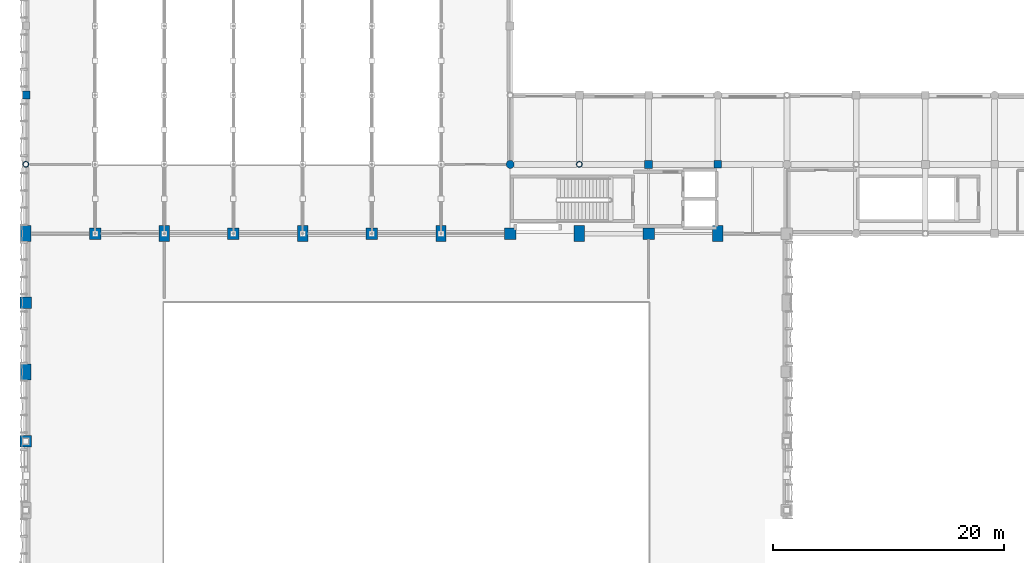
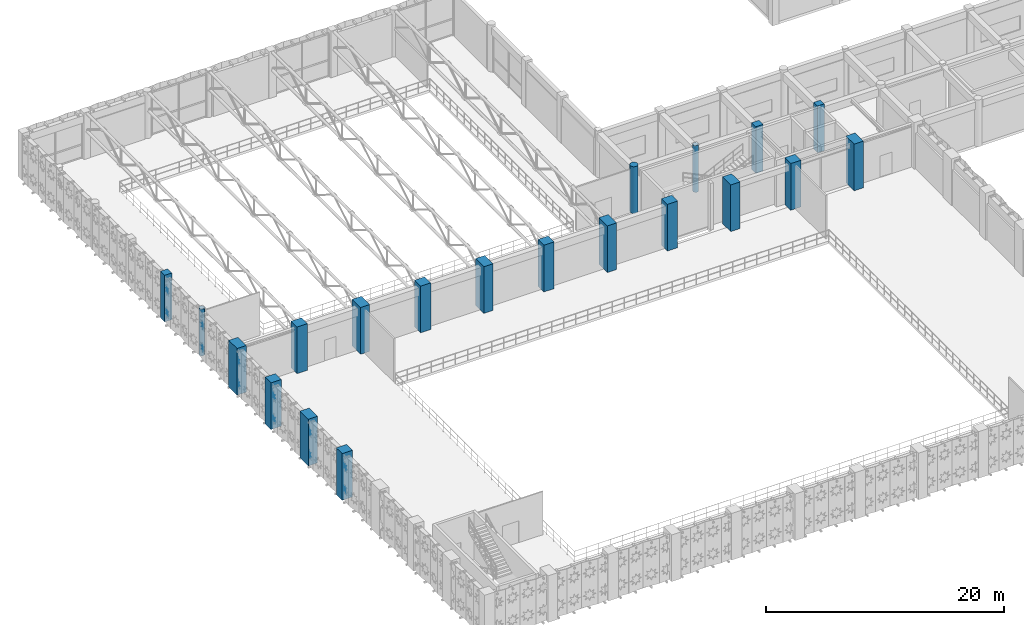
# One storey, part 6 of 123: 20 columns.
"""IFC4 building model written with IfcOpenShell, lengths in metres."""

from ifc_helpers import new_model, si_unit, direction, frame, origin, origin_2d, place, context, subcontext, project, spatial, rectangle, circle, hollow_circle, extrude, material, material_profile, profile_set, type_object, element, save


model = new_model("IFC4")

# Units and contexts
model_context = context("Model", 3, precision=1e-05, world=origin(), true_north=direction((0.0, 1.0)))
body_context = subcontext(model_context, "Body", "Model", "MODEL_VIEW")
ifc_project = project(units=[si_unit("LENGTHUNIT", "METRE"), si_unit("AREAUNIT", "SQUARE_METRE"), si_unit("VOLUMEUNIT", "CUBIC_METRE"), si_unit("PLANEANGLEUNIT", "RADIAN"), si_unit("MASSUNIT", "GRAM", prefix="KILO"), si_unit("THERMODYNAMICTEMPERATUREUNIT", "KELVIN"), si_unit("POWERUNIT", "WATT")], contexts=[model_context])

# Site, building, storey
site_placement = place(None, origin())
site = spatial("IfcSite", under=ifc_project, at=site_placement, CompositionType="ELEMENT")
building_placement = place(site_placement, origin())
building = spatial("IfcBuilding", under=site, at=building_placement, Name="Phaisarnlok Congress Hotel", CompositionType="ELEMENT")
storey_placement = place(building_placement, frame((0.0, 0.0, 15.0)))
storey = spatial("IfcBuildingStorey", under=building, at=storey_placement, Name="L03", CompositionType="ELEMENT", Elevation=15.0)

# Columns
ifc_material_1 = material(Name="Concrete C50/60", Category="concrete")
ifc_material_profile_1 = material_profile(ifc_material_1, rectangle(XDim=1.0, YDim=1.0, at=origin_2d()), Name="RC 1000x1000")
ifc_profile_set_1 = profile_set([ifc_material_profile_1], Name="Concrete C50/60")
column_type_1 = type_object("IfcColumnType", Name="COL-RC-1000", PredefinedType="COLUMN", material=ifc_profile_set_1)
for number, where, z_axis, x_axis, name in (
    (1, (6.0, 84.0, 0.0), (0.0, 0.0, 1.0), (1.0, 0.0, 0.0), "Column C-09 (L03)"),
    (2, (18.0, 84.0, 0.0), (0.0, 0.0, 1.0), (1.0, 0.0, 0.0), "Column C-09 (L03)"),
    (3, (30.0, 84.0, 0.0), (0.0, 0.0, 1.0), (1.0, 0.0, 0.0), "Column C-09 (L03)"),
    (4, (42.0, 84.0, 0.0), (0.0, 0.0, 1.0), (1.0, 0.0, 0.0), "Column C-09 (L03)"),
    (5, (54.0, 84.0, 0.0), (0.0, 0.0, 1.0), (1.0, 0.0, 0.0), "Column C-09 (L03)"),
):
    element("IfcColumn", number, at=place(storey_placement, frame(where, z_axis=z_axis, x_axis=x_axis)), inside=storey, type_object=column_type_1, Name=name, PredefinedType="COLUMN", context=body_context, shape_type="SweptSolid", body=[
        extrude(rectangle(XDim=1.0, YDim=1.0, at=origin_2d()), origin(), (0.0, 0.0, 1.0), 4.800048828125),
    ])
ifc_material_profile_2 = material_profile(ifc_material_1, rectangle(XDim=1.0, YDim=1.0, at=origin_2d()), Name="RC 1000x1000")
ifc_profile_set_2 = profile_set([ifc_material_profile_2], Name="Concrete C50/60")
column_type_2 = type_object("IfcColumnType", Name="COL-RC-1000-EXT", PredefinedType="COLUMN", material=ifc_profile_set_2)
for number, where, z_axis, x_axis, name in (
    (6, (0.0, 66.0, 0.0), (0.0, 0.0, 1.0), (1.0, 0.0, 0.0), "Column C-09E (L03)"),
    (7, (0.0, 78.0, 0.0), (0.0, 0.0, 1.0), (1.0, 0.0, 0.0), "Column C-09E (L03)"),
):
    element("IfcColumn", number, at=place(storey_placement, frame(where, z_axis=z_axis, x_axis=x_axis)), inside=storey, type_object=column_type_2, Name=name, PredefinedType="COLUMN", context=body_context, shape_type="SweptSolid", body=[
        extrude(rectangle(XDim=1.0, YDim=1.0, at=origin_2d()), origin(), (0.0, 0.0, 1.0), 4.800048828125),
    ])
ifc_material_profile_3 = material_profile(ifc_material_1, rectangle(XDim=0.64990234375, YDim=0.64990234375, at=origin_2d()), Name="RC 650x650")
ifc_profile_set_3 = profile_set([ifc_material_profile_3], Name="Concrete C50/60")
column_type_3 = type_object("IfcColumnType", Name="COL-RC-650", PredefinedType="COLUMN", material=ifc_profile_set_3)
column_1_placement = place(storey_placement, frame((60.0, 90.0, 0.0), z_axis=(0.0, 0.0, 1.0), x_axis=(1.0, 0.0, 0.0)))
element("IfcColumn", 8, at=column_1_placement, inside=storey, type_object=column_type_3, Name="Column C-04 (L03)", PredefinedType="COLUMN", context=body_context, shape_type="SweptSolid", body=[
    extrude(rectangle(XDim=0.64990234375, YDim=0.64990234375, at=origin_2d()), origin(), (0.0, 0.0, 1.0), 4.800048828125),
])
ifc_material_profile_4 = material_profile(ifc_material_1, rectangle(XDim=0.699951171875, YDim=0.699951171875, at=origin_2d()), Name="RC 700x700")
ifc_profile_set_4 = profile_set([ifc_material_profile_4], Name="Concrete C50/60")
column_type_4 = type_object("IfcColumnType", Name="COL-RC-700", PredefinedType="COLUMN", material=ifc_profile_set_4)
column_2_placement = place(storey_placement, frame((54.0, 90.0, 0.0), z_axis=(0.0, 0.0, 1.0), x_axis=(1.0, 0.0, 0.0)))
element("IfcColumn", 9, at=column_2_placement, inside=storey, type_object=column_type_4, Name="Column C-05 (L03)", PredefinedType="COLUMN", context=body_context, shape_type="SweptSolid", body=[
    extrude(rectangle(XDim=0.699951171875, YDim=0.699951171875, at=origin_2d()), origin(), (0.0, 0.0, 1.0), 4.800048828125),
])
ifc_material_profile_5 = material_profile(ifc_material_1, rectangle(XDim=0.699951171875, YDim=0.699951171875, at=origin_2d()), Name="RC 700x700")
ifc_profile_set_5 = profile_set([ifc_material_profile_5], Name="Concrete C50/60")
column_type_5 = type_object("IfcColumnType", Name="COL-RC-700-EXT", PredefinedType="COLUMN", material=ifc_profile_set_5)
column_3_placement = place(storey_placement, frame((0.0, 96.0, 0.0), z_axis=(0.0, 0.0, 1.0), x_axis=(1.0, 0.0, 0.0)))
element("IfcColumn", 10, at=column_3_placement, inside=storey, type_object=column_type_5, Name="Column C-05E (L03)", PredefinedType="COLUMN", context=body_context, shape_type="SweptSolid", body=[
    extrude(rectangle(XDim=0.699951171875, YDim=0.699951171875, at=origin_2d()), origin(), (0.0, 0.0, 1.0), 4.800048828125),
])
ifc_material_profile_6 = material_profile(ifc_material_1, rectangle(XDim=0.89990234375, YDim=1.39990234375, at=origin_2d()), Name="RC 900x1400")
ifc_profile_set_6 = profile_set([ifc_material_profile_6], Name="Concrete C50/60")
column_type_6 = type_object("IfcColumnType", Name="COL-RC-900x1400", PredefinedType="COLUMN", material=ifc_profile_set_6)
for number, where, z_axis, x_axis, name in (
    (11, (12.0, 84.0, 0.0), (0.0, 0.0, 1.0), (1.0, 0.0, 0.0), "Column C-12 (L03)"),
    (12, (24.0, 84.0, 0.0), (0.0, 0.0, 1.0), (1.0, 0.0, 0.0), "Column C-12 (L03)"),
    (13, (36.0, 84.0, 0.0), (0.0, 0.0, 1.0), (1.0, 0.0, 0.0), "Column C-12 (L03)"),
    (14, (48.0, 84.0, 0.0), (0.0, 0.0, 1.0), (1.0, 0.0, 0.0), "Column C-12 (L03)"),
    (15, (60.0, 84.0, 0.0), (0.0, 0.0, 1.0), (1.0, 0.0, 0.0), "Column C-12 (L03)"),
):
    element("IfcColumn", number, at=place(storey_placement, frame(where, z_axis=z_axis, x_axis=x_axis)), inside=storey, type_object=column_type_6, Name=name, PredefinedType="COLUMN", context=body_context, shape_type="SweptSolid", body=[
        extrude(rectangle(XDim=0.89990234375, YDim=1.39990234375, at=origin_2d()), origin(), (0.0, 0.0, 1.0), 4.800048828125),
    ])
ifc_material_profile_7 = material_profile(ifc_material_1, rectangle(XDim=0.89990234375, YDim=1.39990234375, at=origin_2d()), Name="RC 900x1400")
ifc_profile_set_7 = profile_set([ifc_material_profile_7], Name="Concrete C50/60")
column_type_7 = type_object("IfcColumnType", Name="COL-RC-900x1400-EXT", PredefinedType="COLUMN", material=ifc_profile_set_7)
for number, where, z_axis, x_axis, name in (
    (16, (0.0, 72.0, 0.0), (0.0, 0.0, 1.0), (1.0, 0.0, 0.0), "Column C-12E (L03)"),
    (17, (0.0, 84.0, 0.0), (0.0, 0.0, 1.0), (1.0, 0.0, 0.0), "Column C-12E (L03)"),
):
    element("IfcColumn", number, at=place(storey_placement, frame(where, z_axis=z_axis, x_axis=x_axis)), inside=storey, type_object=column_type_7, Name=name, PredefinedType="COLUMN", context=body_context, shape_type="SweptSolid", body=[
        extrude(rectangle(XDim=0.89990234375, YDim=1.39990234375, at=origin_2d()), origin(), (0.0, 0.0, 1.0), 4.800048828125),
    ])
ifc_material_profile_8 = material_profile(ifc_material_1, circle(Radius=0.35009765625, at=origin_2d()), Name="RCC D700")
ifc_profile_set_8 = profile_set([ifc_material_profile_8], Name="Concrete C50/60")
column_type_8 = type_object("IfcColumnType", Name="COL-RCC-700", PredefinedType="COLUMN", material=ifc_profile_set_8)
column_4_placement = place(storey_placement, frame((42.0, 90.0, 0.0), z_axis=(0.0, 0.0, 1.0), x_axis=(1.0, 0.0, 0.0)))
element("IfcColumn", 18, at=column_4_placement, inside=storey, type_object=column_type_8, Name="Column C-13 (L03)", PredefinedType="COLUMN", context=body_context, shape_type="SweptSolid", body=[
    extrude(circle(Radius=0.35009765625, at=origin_2d()), origin(), (0.0, 0.0, 1.0), 4.800048828125),
])
ifc_material_2 = material(Name="Steel S355", Category="steel")
ifc_material_profile_9 = material_profile(ifc_material_2, hollow_circle(Radius=0.25390625, WallThickness=0.02490234375, at=origin_2d()), Name="CHS 508x25")
ifc_profile_set_9 = profile_set([ifc_material_profile_9], Name="Steel S355")
column_type_9 = type_object("IfcColumnType", Name="COL-STL-CHS508", PredefinedType="COLUMN", material=ifc_profile_set_9)
column_5_placement = place(storey_placement, frame((48.0, 90.0, 0.0), z_axis=(0.0, 0.0, 1.0), x_axis=(1.0, 0.0, 0.0)))
element("IfcColumn", 19, at=column_5_placement, inside=storey, type_object=column_type_9, Name="Column SC-03 (L03)", PredefinedType="COLUMN", context=body_context, shape_type="SweptSolid", body=[
    extrude(hollow_circle(Radius=0.25390625, WallThickness=0.02490234375, at=origin_2d()), origin(), (0.0, 0.0, 1.0), 4.800048828125),
])
ifc_material_profile_10 = material_profile(ifc_material_2, hollow_circle(Radius=0.25390625, WallThickness=0.02490234375, at=origin_2d()), Name="CHS 508x25")
ifc_profile_set_10 = profile_set([ifc_material_profile_10], Name="Steel S355")
column_type_10 = type_object("IfcColumnType", Name="COL-STL-CHS508-EXT", PredefinedType="COLUMN", material=ifc_profile_set_10)
column_6_placement = place(storey_placement, frame((0.0, 90.0, 0.0), z_axis=(0.0, 0.0, 1.0), x_axis=(1.0, 0.0, 0.0)))
element("IfcColumn", 20, at=column_6_placement, inside=storey, type_object=column_type_10, Name="Column SC-03E (L03)", PredefinedType="COLUMN", context=body_context, shape_type="SweptSolid", body=[
    extrude(hollow_circle(Radius=0.25390625, WallThickness=0.02490234375, at=origin_2d()), origin(), (0.0, 0.0, 1.0), 4.800048828125),
])

save(model, "model.ifc")
